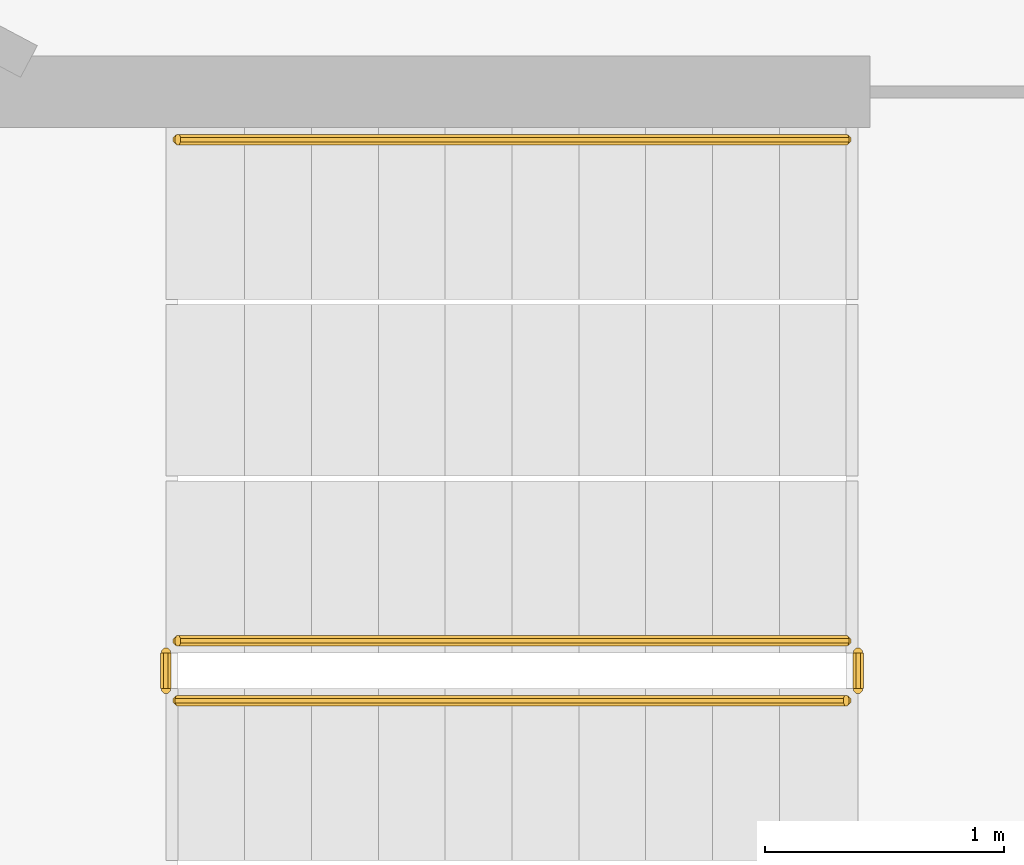
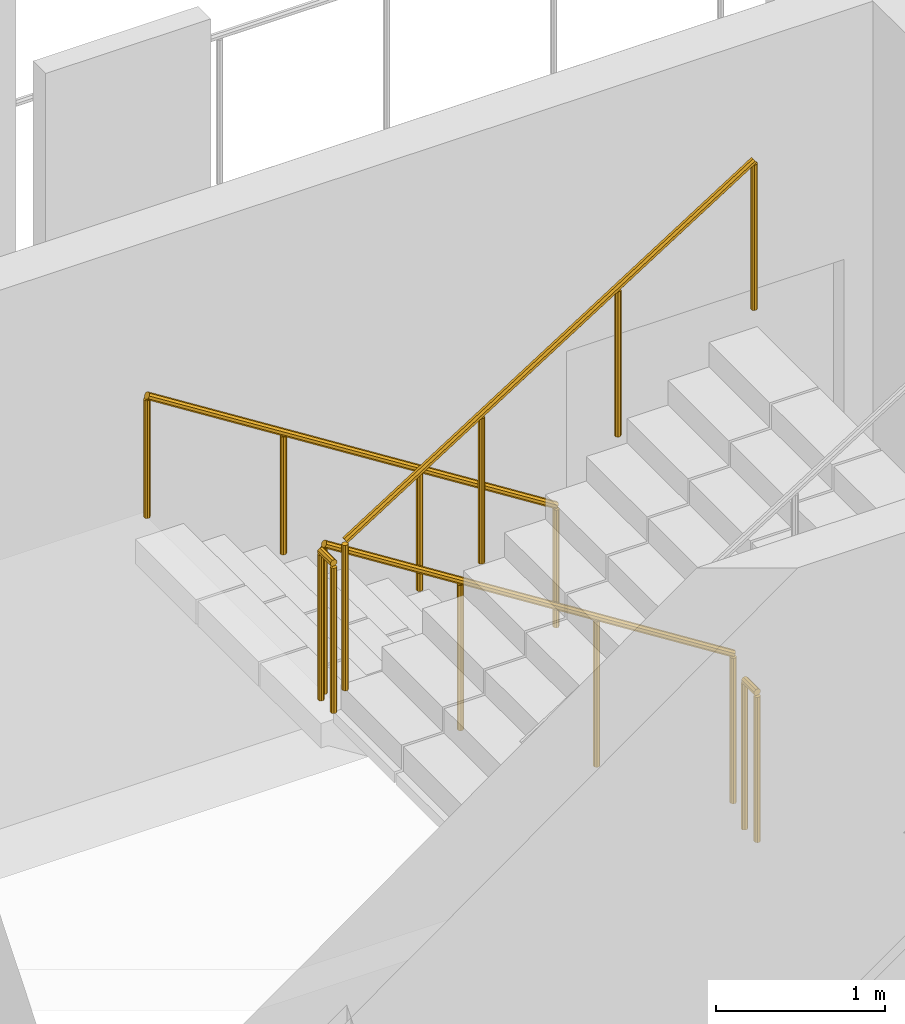
# One storey, part 20 of 26: 5 railings.
"""IFC4 building model written with IfcOpenShell, lengths in metres."""

from ifc_helpers import new_model, si_unit, direction, frame, origin, place, context, subcontext, project, spatial, polyline, outline, extrude, material, type_object, element, save


model = new_model("IFC4")

# Units and contexts
model_context = context("Model", 3, precision=1e-05, world=origin(), true_north=direction((0.0, 1.0)))
body_context = subcontext(model_context, "Body", "Model", "MODEL_VIEW")
ifc_project = project(units=[si_unit("LENGTHUNIT", "METRE"), si_unit("AREAUNIT", "SQUARE_METRE"), si_unit("VOLUMEUNIT", "CUBIC_METRE"), si_unit("PLANEANGLEUNIT", "RADIAN"), si_unit("MASSUNIT", "GRAM", prefix="KILO")], contexts=[model_context])

# Site, building, storey
site_placement = place(None, origin())
site = spatial("IfcSite", under=ifc_project, at=site_placement, CompositionType="ELEMENT")
building_placement = place(site_placement, origin())
building = spatial("IfcBuilding", under=site, at=building_placement, Name="Cormorant Relay Tower", CompositionType="ELEMENT")
storey_placement = place(building_placement, frame((0.0, 0.0, 293.10009765625)))
storey = spatial("IfcBuildingStorey", under=building, at=storey_placement, Name="L66", CompositionType="ELEMENT", Elevation=293.10009765625)

# Railings
ifc_material_1 = material(Name="Steel ASTM A572 Grade 50 (Fy 345 MPa)", Category="steel")
railing_type_1 = type_object("IfcRailingType", Name="Stair guard 1100", PredefinedType="GUARDRAIL", material=ifc_material_1)
railing_1_placement = place(storey_placement, frame((1.60009765625, -18.27490234375, 0.17724609375)))
element("IfcRailing", 1, at=railing_1_placement, inside=storey, type_object=railing_type_1, Name="L66 RK1 stair guard 1", PredefinedType="GUARDRAIL", context=body_context, shape_type="SweptSolid", body=[
    extrude(outline(polyline([(0.022216796875, 0.00927734375), (0.00927734375, 0.022216796875), (-0.00927734375, 0.022216796875), (-0.022216796875, 0.00927734375), (-0.022216796875, -0.00927734375), (-0.00927734375, -0.022216796875), (0.00927734375, -0.022216796875), (0.022216796875, -0.00927734375), (0.022216796875, 0.00927734375)])), frame((0.0, 0.0, 1.076171875), z_axis=(-0.844908973607, 0.0, 0.534910110503), x_axis=(0.0, -1.0, 0.0)), (0.0, 0.0, 1.0), 3.31396484375),
    extrude(outline(polyline([(0.019287109375, 0.008056640625), (0.008056640625, 0.019287109375), (-0.008056640625, 0.019287109375), (-0.019287109375, 0.008056640625), (-0.019287109375, -0.008056640625), (-0.008056640625, -0.019287109375), (0.008056640625, -0.019287109375), (0.019287109375, -0.008056640625), (0.019287109375, 0.008056640625)])), origin(), (0.0, 0.0, 1.0), 1.052001953125),
    extrude(outline(polyline([(0.019287109375, 0.008056640625), (0.008056640625, 0.019287109375), (-0.008056640625, 0.019287109375), (-0.019287109375, 0.008056640625), (-0.019287109375, -0.008056640625), (-0.008056640625, -0.019287109375), (0.008056640625, -0.019287109375), (0.019287109375, -0.008056640625), (0.019287109375, 0.008056640625)])), frame((-0.933349609375, 0.0, 0.5908203125)), (0.0, 0.0, 1.0), 1.052001953125),
    extrude(outline(polyline([(0.019287109375, 0.008056640625), (0.008056640625, 0.019287109375), (-0.008056640625, 0.019287109375), (-0.019287109375, 0.008056640625), (-0.019287109375, -0.008056640625), (-0.008056640625, -0.019287109375), (0.008056640625, -0.019287109375), (0.019287109375, -0.008056640625), (0.019287109375, 0.008056640625)])), frame((-1.86669921875, 0.0, 1.181884765625)), (0.0, 0.0, 1.0), 1.052001953125),
    extrude(outline(polyline([(0.019287109375, 0.008056640625), (0.008056640625, 0.019287109375), (-0.008056640625, 0.019287109375), (-0.019287109375, 0.008056640625), (-0.019287109375, -0.008056640625), (-0.008056640625, -0.019287109375), (0.008056640625, -0.019287109375), (0.019287109375, -0.008056640625), (0.019287109375, 0.008056640625)])), frame((-2.800048828125, 0.0, 1.772705078125)), (0.0, 0.0, 1.0), 1.052001953125),
])
railing_2_placement = place(storey_placement, frame((-1.25, -18.324951171875, 1.949951171875)))
element("IfcRailing", 2, at=railing_2_placement, inside=storey, type_object=railing_type_1, Name="L66 RK1 stair guard 2", PredefinedType="GUARDRAIL", context=body_context, shape_type="SweptSolid", body=[
    extrude(outline(polyline([(0.022216796875, 0.00927734375), (0.00927734375, 0.022216796875), (-0.00927734375, 0.022216796875), (-0.022216796875, 0.00927734375), (-0.022216796875, -0.00927734375), (-0.00927734375, -0.022216796875), (0.00927734375, -0.022216796875), (0.022216796875, -0.00927734375), (0.022216796875, 0.00927734375)])), frame((0.0, 0.0, 1.076171875), z_axis=(0.0, -1.0, 0.0), x_axis=(1.0, 0.0, 0.0)), (0.0, 0.0, 1.0), 0.150146484375),
    extrude(outline(polyline([(0.019287109375, 0.008056640625), (0.008056640625, 0.019287109375), (-0.008056640625, 0.019287109375), (-0.019287109375, 0.008056640625), (-0.019287109375, -0.008056640625), (-0.008056640625, -0.019287109375), (0.008056640625, -0.019287109375), (0.019287109375, -0.008056640625), (0.019287109375, 0.008056640625)])), origin(), (0.0, 0.0, 1.0), 1.052001953125),
    extrude(outline(polyline([(0.019287109375, 0.008056640625), (0.008056640625, 0.019287109375), (-0.008056640625, 0.019287109375), (-0.019287109375, 0.008056640625), (-0.019287109375, -0.008056640625), (-0.008056640625, -0.019287109375), (0.008056640625, -0.019287109375), (0.019287109375, -0.008056640625), (0.019287109375, 0.008056640625)])), frame((0.0, -0.150146484375, 0.0)), (0.0, 0.0, 1.0), 1.052001953125),
])
railing_3_placement = place(storey_placement, frame((-1.199951171875, -18.52490234375, 2.127197265625)))
element("IfcRailing", 3, at=railing_3_placement, inside=storey, type_object=railing_type_1, Name="L66 RK1 stair guard 3", PredefinedType="GUARDRAIL", context=body_context, shape_type="SweptSolid", body=[
    extrude(outline(polyline([(0.022216796875, 0.00927734375), (0.00927734375, 0.022216796875), (-0.00927734375, 0.022216796875), (-0.022216796875, 0.00927734375), (-0.022216796875, -0.00927734375), (-0.00927734375, -0.022216796875), (0.00927734375, -0.022216796875), (0.022216796875, -0.00927734375), (0.022216796875, 0.00927734375)])), frame((0.0, 0.0, 1.076171875), z_axis=(0.844908973607, 0.0, 0.534910110503), x_axis=(0.0, 1.0, 0.0)), (0.0, 0.0, 1.0), 3.31396484375),
    extrude(outline(polyline([(0.019287109375, 0.008056640625), (0.008056640625, 0.019287109375), (-0.008056640625, 0.019287109375), (-0.019287109375, 0.008056640625), (-0.019287109375, -0.008056640625), (-0.008056640625, -0.019287109375), (0.008056640625, -0.019287109375), (0.019287109375, -0.008056640625), (0.019287109375, 0.008056640625)])), origin(), (0.0, 0.0, 1.0), 1.052001953125),
    extrude(outline(polyline([(0.019287109375, 0.008056640625), (0.008056640625, 0.019287109375), (-0.008056640625, 0.019287109375), (-0.019287109375, 0.008056640625), (-0.019287109375, -0.008056640625), (-0.008056640625, -0.019287109375), (0.008056640625, -0.019287109375), (0.019287109375, -0.008056640625), (0.019287109375, 0.008056640625)])), frame((0.933349609375, 0.0, 0.5908203125)), (0.0, 0.0, 1.0), 1.052001953125),
    extrude(outline(polyline([(0.019287109375, 0.008056640625), (0.008056640625, 0.019287109375), (-0.008056640625, 0.019287109375), (-0.019287109375, 0.008056640625), (-0.019287109375, -0.008056640625), (-0.008056640625, -0.019287109375), (0.008056640625, -0.019287109375), (0.019287109375, -0.008056640625), (0.019287109375, 0.008056640625)])), frame((1.86669921875, 0.0, 1.181884765625)), (0.0, 0.0, 1.0), 1.052001953125),
    extrude(outline(polyline([(0.019287109375, 0.008056640625), (0.008056640625, 0.019287109375), (-0.008056640625, 0.019287109375), (-0.019287109375, 0.008056640625), (-0.019287109375, -0.008056640625), (-0.008056640625, -0.019287109375), (0.008056640625, -0.019287109375), (0.019287109375, -0.008056640625), (0.019287109375, 0.008056640625)])), frame((2.800048828125, 0.0, 1.772705078125)), (0.0, 0.0, 1.0), 1.052001953125),
])
railing_4_placement = place(storey_placement, frame((1.64990234375, -18.324951171875, 0.0)))
element("IfcRailing", 4, at=railing_4_placement, inside=storey, type_object=railing_type_1, Name="L66 RK1 stair guard 4", PredefinedType="GUARDRAIL", context=body_context, shape_type="SweptSolid", body=[
    extrude(outline(polyline([(0.022216796875, 0.00927734375), (0.00927734375, 0.022216796875), (-0.00927734375, 0.022216796875), (-0.022216796875, 0.00927734375), (-0.022216796875, -0.00927734375), (-0.00927734375, -0.022216796875), (0.00927734375, -0.022216796875), (0.022216796875, -0.00927734375), (0.022216796875, 0.00927734375)])), frame((0.0, 0.0, 1.076171875), z_axis=(0.0, -1.0, 0.0), x_axis=(1.0, 0.0, 0.0)), (0.0, 0.0, 1.0), 0.150146484375),
    extrude(outline(polyline([(0.019287109375, 0.008056640625), (0.008056640625, 0.019287109375), (-0.008056640625, 0.019287109375), (-0.019287109375, 0.008056640625), (-0.019287109375, -0.008056640625), (-0.008056640625, -0.019287109375), (0.008056640625, -0.019287109375), (0.019287109375, -0.008056640625), (0.019287109375, 0.008056640625)])), origin(), (0.0, 0.0, 1.0), 1.052001953125),
    extrude(outline(polyline([(0.019287109375, 0.008056640625), (0.008056640625, 0.019287109375), (-0.008056640625, 0.019287109375), (-0.019287109375, 0.008056640625), (-0.019287109375, -0.008056640625), (-0.008056640625, -0.019287109375), (0.008056640625, -0.019287109375), (0.019287109375, -0.008056640625), (0.019287109375, 0.008056640625)])), frame((0.0, -0.150146484375, 0.0)), (0.0, 0.0, 1.0), 1.052001953125),
])
ifc_material_2 = material(Name="Steel ASTM A572 Grade 50 (Fy 345 MPa)", Category="steel")
railing_type_2 = type_object("IfcRailingType", Name="Stair handrail 900", PredefinedType="HANDRAIL", material=ifc_material_2)
railing_5_placement = place(storey_placement, frame((1.60009765625, -16.175048828125, 0.17724609375)))
element("IfcRailing", 5, at=railing_5_placement, inside=storey, type_object=railing_type_2, Name="L66 RK1 stair handrail 1", PredefinedType="HANDRAIL", context=body_context, shape_type="SweptSolid", body=[
    extrude(outline(polyline([(0.022216796875, 0.00927734375), (0.00927734375, 0.022216796875), (-0.00927734375, 0.022216796875), (-0.022216796875, 0.00927734375), (-0.022216796875, -0.00927734375), (-0.00927734375, -0.022216796875), (0.00927734375, -0.022216796875), (0.022216796875, -0.00927734375), (0.022216796875, 0.00927734375)])), frame((0.0, 0.0, 0.8759765625), z_axis=(-0.844908973607, 0.0, 0.534910110503), x_axis=(0.0, -1.0, 0.0)), (0.0, 0.0, 1.0), 3.31396484375),
    extrude(outline(polyline([(0.019287109375, 0.008056640625), (0.008056640625, 0.019287109375), (-0.008056640625, 0.019287109375), (-0.019287109375, 0.008056640625), (-0.019287109375, -0.008056640625), (-0.008056640625, -0.019287109375), (0.008056640625, -0.019287109375), (0.019287109375, -0.008056640625), (0.019287109375, 0.008056640625)])), origin(), (0.0, 0.0, 1.0), 0.851806640625),
    extrude(outline(polyline([(0.019287109375, 0.008056640625), (0.008056640625, 0.019287109375), (-0.008056640625, 0.019287109375), (-0.019287109375, 0.008056640625), (-0.019287109375, -0.008056640625), (-0.008056640625, -0.019287109375), (0.008056640625, -0.019287109375), (0.019287109375, -0.008056640625), (0.019287109375, 0.008056640625)])), frame((-0.933349609375, 0.0, 0.5908203125)), (0.0, 0.0, 1.0), 0.851806640625),
    extrude(outline(polyline([(0.019287109375, 0.008056640625), (0.008056640625, 0.019287109375), (-0.008056640625, 0.019287109375), (-0.019287109375, 0.008056640625), (-0.019287109375, -0.008056640625), (-0.008056640625, -0.019287109375), (0.008056640625, -0.019287109375), (0.019287109375, -0.008056640625), (0.019287109375, 0.008056640625)])), frame((-1.86669921875, 0.0, 1.181884765625)), (0.0, 0.0, 1.0), 0.851806640625),
    extrude(outline(polyline([(0.019287109375, 0.008056640625), (0.008056640625, 0.019287109375), (-0.008056640625, 0.019287109375), (-0.019287109375, 0.008056640625), (-0.019287109375, -0.008056640625), (-0.008056640625, -0.019287109375), (0.008056640625, -0.019287109375), (0.019287109375, -0.008056640625), (0.019287109375, 0.008056640625)])), frame((-2.800048828125, 0.0, 1.772705078125)), (0.0, 0.0, 1.0), 0.851806640625),
])

save(model, "model.ifc")
